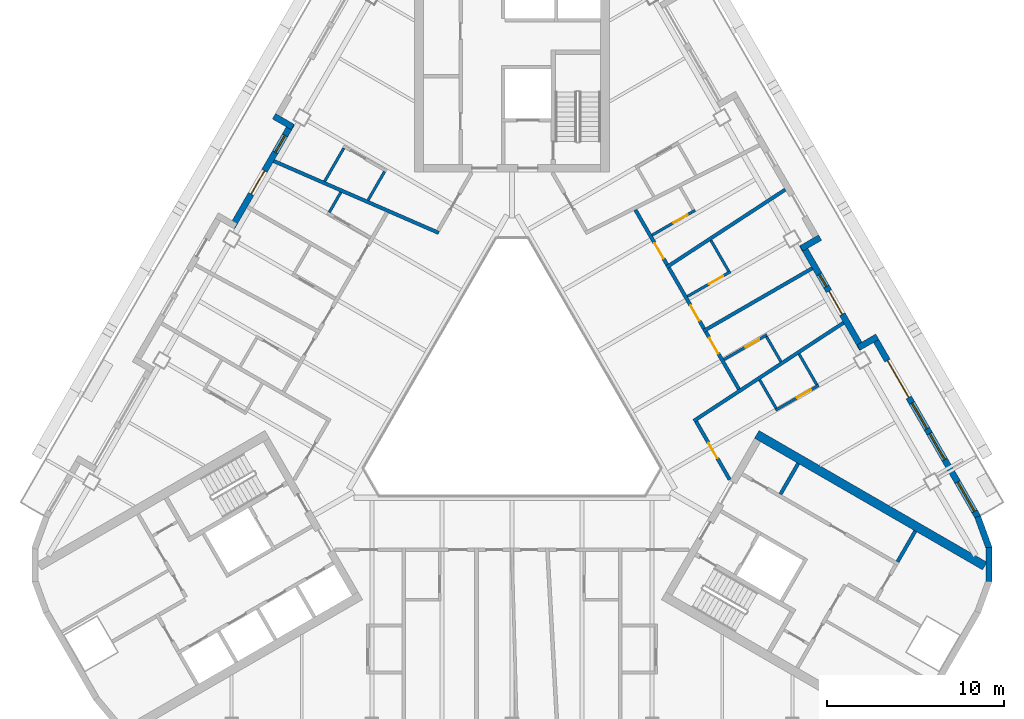
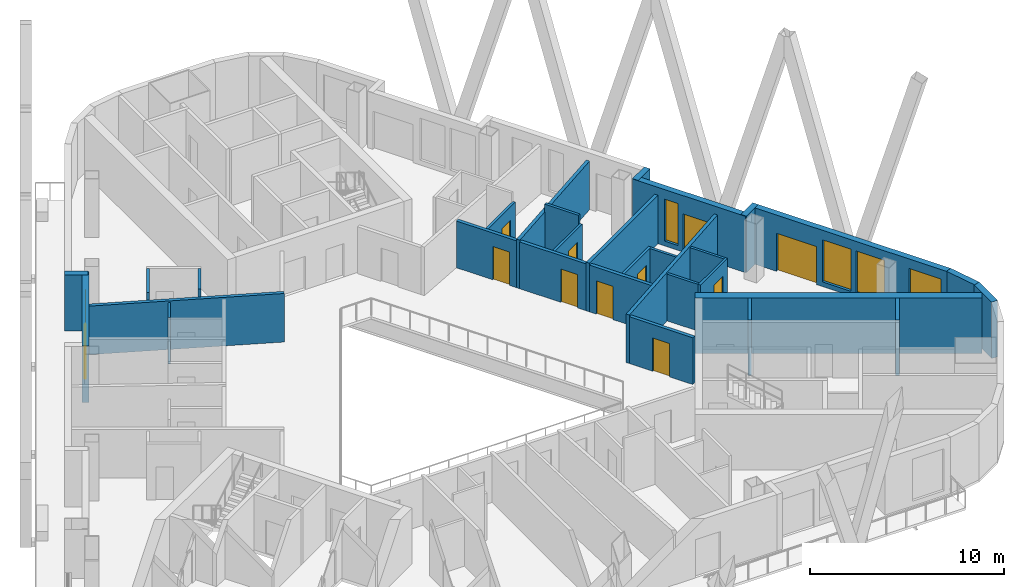
# One storey, part 6 of 14: 30 walls, 11 doors, 5 windows, 16 openings.
"""IFC4 building model written with IfcOpenShell, lengths in metres."""

import ifcopenshell
import ifcopenshell.guid

model = None  # the IFC model being written
_history = None  # IfcOwnerHistory: only IFC2X3 demands one
_inside = {}  # id of a spatial element -> (the spatial element, [elements in it])
_under = {}  # id of a project, library or spatial element -> (it, [spatial elements below it])
_declared = {}  # id of a project -> (the project, [libraries it declares])
_typed = {}  # id of a type object -> (the type object, [elements of that type])
_made_of = {}  # id of a material, layer set ... -> (it, [elements and type objects made of it])


def new_model(schema):
    """Start an empty IFC model of exactly this schema.

    Asked for "IFC4X3", IfcOpenShell would pick the latest addendum, in which some entities
    have other attributes; the version numbers below select the first issue.
    IFC2X3 requires an IfcOwnerHistory on every rooted entity: one is made here for all.
    """
    global model, _history
    if schema == "IFC4X3":
        model = ifcopenshell.file(schema_version=(4, 3, 0, 0))
    else:
        model = ifcopenshell.file(schema=schema)
    _inside.clear()
    _under.clear()
    _declared.clear()
    _typed.clear()
    _made_of.clear()
    _history = None
    if model.schema == "IFC2X3":
        org = make("IfcOrganization", Name="unknown")
        user = make(
            "IfcPersonAndOrganization",
            ThePerson=make("IfcPerson", FamilyName="unknown"),
            TheOrganization=org,
        )
        app = make(
            "IfcApplication",
            ApplicationDeveloper=org,
            Version="unknown",
            ApplicationFullName="unknown",
            ApplicationIdentifier="unknown",
        )
        _history = make(
            "IfcOwnerHistory",
            OwningUser=user,
            OwningApplication=app,
            ChangeAction="ADDED",
            CreationDate=0,
        )
    return model


def make(cls, **values):
    """One entity of the class cls with the attributes given. An attribute that is None is left unset."""
    return model.create_entity(
        cls, **{name: value for name, value in values.items() if value is not None}
    )


def rooted(cls, **values):
    """An entity with a GlobalId (a new one), such as an element, a storey or a relation."""
    return make(cls, GlobalId=ifcopenshell.guid.new(), OwnerHistory=_history, **values)


def si_unit(unit_type, name, prefix=None):
    """IfcSIUnit, for example si_unit("LENGTHUNIT", "METRE", prefix="MILLI")."""
    return make("IfcSIUnit", UnitType=unit_type, Prefix=prefix, Name=name)


def assignment(units):
    """IfcUnitAssignment: the units of a project."""
    return None if units is None else make("IfcUnitAssignment", Units=units)


def point(xyz):
    """IfcCartesianPoint."""
    return None if xyz is None else make("IfcCartesianPoint", Coordinates=xyz)


def direction(xyz):
    """IfcDirection."""
    return None if xyz is None else make("IfcDirection", DirectionRatios=xyz)


def frame(location, z_axis=None, x_axis=None):
    """IfcAxis2Placement3D, a coordinate frame: its origin and axes. An axis left out is left unset."""
    return make(
        "IfcAxis2Placement3D",
        Location=point(location),
        Axis=direction(z_axis),
        RefDirection=direction(x_axis),
    )


def frame_2d(location, x_axis=None):
    """IfcAxis2Placement2D, a coordinate frame in the plane: its origin and x axis."""
    return make(
        "IfcAxis2Placement2D", Location=point(location), RefDirection=direction(x_axis)
    )


def origin():
    """The frame at (0, 0, 0) with its axes left unset."""
    return frame((0.0, 0.0, 0.0))


def place(relative_to, where):
    """IfcLocalPlacement: puts the frame where relative to a parent placement (None: the world)."""
    return make(
        "IfcLocalPlacement", PlacementRelTo=relative_to, RelativePlacement=where
    )


def context(
    kind, dimensions, precision=None, world=None, true_north=None, identifier=None
):
    """IfcGeometricRepresentationContext, for example the 3D "Model" context."""
    return make(
        "IfcGeometricRepresentationContext",
        ContextIdentifier=identifier,
        ContextType=kind,
        CoordinateSpaceDimension=dimensions,
        Precision=precision,
        WorldCoordinateSystem=world,
        TrueNorth=true_north,
    )


def subcontext(parent, identifier, kind, view, scale=None):
    """IfcGeometricRepresentationSubContext, for example "Body" below "Model"."""
    return make(
        "IfcGeometricRepresentationSubContext",
        ContextIdentifier=identifier,
        ContextType=kind,
        ParentContext=parent,
        TargetScale=scale,
        TargetView=view,
    )


def project(units=None, contexts=None):
    """IfcProject with its units and contexts."""
    return rooted(
        "IfcProject",
        Name="project",
        RepresentationContexts=contexts,
        UnitsInContext=assignment(units),
    )


def spatial(cls, under=None, at=None, **own):
    """A site, building, storey or space (cls), placed at a placement, below another one or the project."""
    s = rooted(cls, ObjectPlacement=at, **own)
    if under is not None:
        _under.setdefault(under.id(), (under, []))[1].append(s)
    return s


def profile(cls, at=None, kind="AREA", **sizes):
    """A parametric profile (cls). Its sizes go by their IFC names, for example OverallWidth=200.0."""
    return make(cls, ProfileType=kind, Position=at, **sizes)


def rectangle(**sizes):
    """IfcRectangleProfileDef."""
    return profile("IfcRectangleProfileDef", **sizes)


def extrude(swept, where, along, depth):
    """IfcExtrudedAreaSolid: the profile swept, set in the frame where, extruded along a direction by depth."""
    return make(
        "IfcExtrudedAreaSolid",
        SweptArea=swept,
        Position=where,
        ExtrudedDirection=direction(along),
        Depth=depth,
    )


def shape(context_of_items, identifier, shape_type, items):
    """IfcShapeRepresentation: the items that make up one representation, for example the "Body"."""
    return make(
        "IfcShapeRepresentation",
        ContextOfItems=context_of_items,
        RepresentationIdentifier=identifier,
        RepresentationType=shape_type,
        Items=items,
    )


def material(Name=None, Category=None):
    """IfcMaterial."""
    return make("IfcMaterial", Name=Name, Category=Category)


def layer(
    of_material, thickness, ventilated=None, Name=None, Category=None, Priority=None
):
    """IfcMaterialLayer: one layer of a wall or slab, of a material (None: an air gap)."""
    return make(
        "IfcMaterialLayer",
        Material=of_material,
        LayerThickness=thickness,
        IsVentilated=ventilated,
        Name=Name,
        Category=Category,
        Priority=Priority,
    )


def layer_set(layers, Name=None):
    """IfcMaterialLayerSet."""
    return make("IfcMaterialLayerSet", MaterialLayers=layers, LayerSetName=Name)


def made_of(thing, what):
    """Note that an element or type object is made of a material, layer set ...; save() writes the relation."""
    if what is not None:
        _made_of.setdefault(what.id(), (what, []))[1].append(thing)
    return thing


def type_object(cls, material=None, **own):
    """A type object (cls), such as IfcWallType, which elements share."""
    return made_of(rooted(cls, **own), material)


def element(
    cls,
    number,
    at=None,
    inside=None,
    cuts=None,
    type_object=None,
    material=None,
    context=None,
    identifier="Body",
    shape_type=None,
    held_by="IfcProductDefinitionShape",
    body=None,
    shapes=None,
    **own,
):
    """One element of the class cls, such as IfcWall. Its Tag is "e" and its number.

    at: its placement. inside: the storey or other place that contains it. cuts: it is an
    opening in that element (IfcRelVoidsElement). A single representation is given by context,
    identifier, shape_type and body (its items); several are given by shapes. held_by: the class
    of the entity that holds the representations. save() writes the other relations.
    """
    e = rooted(cls, Tag="e%d" % number, ObjectPlacement=at, **own)
    if body is not None:
        shapes = [shape(context, identifier, shape_type, body)]
    if shapes is not None:
        e.Representation = make(held_by, Representations=shapes)
    if inside is not None:
        _inside.setdefault(inside.id(), (inside, []))[1].append(e)
    if cuts is not None:
        rooted(
            "IfcRelVoidsElement", RelatingBuildingElement=cuts, RelatedOpeningElement=e
        )
    if type_object is not None:
        _typed.setdefault(type_object.id(), (type_object, []))[1].append(e)
    return made_of(e, material)


def fill(opening, filler):
    """IfcRelFillsElement: the door or window that sits in an opening."""
    return rooted(
        "IfcRelFillsElement",
        RelatingOpeningElement=opening,
        RelatedBuildingElement=filler,
    )


def aggregate(whole, parts):
    """IfcRelAggregates: a whole, such as a stair, and the parts it consists of."""
    return rooted("IfcRelAggregates", RelatingObject=whole, RelatedObjects=parts)


def save(model, path):
    """Write the relations noted so far, then the file.

    IfcRelAggregates (storeys below a building ...), IfcRelContainedInSpatialStructure (elements
    in a storey), IfcRelDefinesByType, IfcRelAssociatesMaterial and IfcRelDeclares: one each for
    every whole, place, type object, material and project.
    """
    for whole, parts in _under.values():
        aggregate(whole, parts)
    for where, things in _inside.values():
        rooted(
            "IfcRelContainedInSpatialStructure",
            RelatedElements=things,
            RelatingStructure=where,
        )
    for kind, things in _typed.values():
        rooted("IfcRelDefinesByType", RelatedObjects=things, RelatingType=kind)
    for what, things in _made_of.values():
        rooted("IfcRelAssociatesMaterial", RelatedObjects=things, RelatingMaterial=what)
    for by, libraries in _declared.values():
        rooted("IfcRelDeclares", RelatingContext=by, RelatedDefinitions=libraries)
    model.write(path)


model = new_model("IFC4")

# Units and contexts
model_context = context("Model", 3, precision=1e-05, world=origin(), true_north=direction((0.0, 1.0)))
body_context = subcontext(model_context, "Body", "Model", "MODEL_VIEW")
ifc_project = project(units=[si_unit("LENGTHUNIT", "METRE"), si_unit("AREAUNIT", "SQUARE_METRE"), si_unit("VOLUMEUNIT", "CUBIC_METRE"), si_unit("PLANEANGLEUNIT", "RADIAN"), si_unit("MASSUNIT", "GRAM", prefix="KILO")], contexts=[model_context])

# Site, building, storey
site_placement = place(None, origin())
site = spatial("IfcSite", under=ifc_project, at=site_placement, CompositionType="ELEMENT")
building_placement = place(site_placement, origin())
building = spatial("IfcBuilding", under=site, at=building_placement, Name="Apuvela Tower Hotel", CompositionType="ELEMENT")
storey_placement = place(building_placement, frame((0.0, 0.0, 224.300048828125)))
storey = spatial("IfcBuildingStorey", under=building, at=storey_placement, Name="L55", CompositionType="ELEMENT", Elevation=224.300048828125)

# Walls
ifc_material_1 = material(Name="Concrete C50/60", Category="concrete")
ifc_layer_1 = layer(ifc_material_1, 0.5)
ifc_layer_set_1 = layer_set([ifc_layer_1], Name="COR-WALL-CORE-500")
wall_type_1 = type_object("IfcWallType", Name="COR-WALL-CORE-500", PredefinedType="SHEAR", material=ifc_layer_set_1)
wall_1_placement = place(storey_placement, frame((13.796630859375, -1.9033203125, 0.0), z_axis=(0.0, 0.0, 1.0), x_axis=(0.866025009528, -0.500000682871, 0.0)))
element("IfcWall", 1, at=wall_1_placement, inside=storey, type_object=wall_type_1, Name="Core wall SE", PredefinedType="SHEAR", context=body_context, shape_type="SweptSolid", body=[
    extrude(rectangle(XDim=14.8369140625, YDim=0.5, at=frame_2d((7.41845703125, 0.0))), origin(), (0.0, 0.0, 1.0), 3.5),
])
ifc_layer_2 = layer(ifc_material_1, 0.199951171875)
ifc_layer_set_2 = layer_set([ifc_layer_2], Name="COR-WALL-SHAFT-200")
wall_type_2 = type_object("IfcWallType", Name="COR-WALL-SHAFT-200", PredefinedType="SHEAR", material=ifc_layer_set_2)
for number, where, z_axis, x_axis, name in (
    (2, (15.131103515625, -5.27197265625, 0.0), (0.0, 0.0, 1.0), (0.499972520799, 0.866041268327, 0.0), "Shaft wall SE"),
    (3, (21.73046875, -9.081787109375, 0.0), (0.0, 0.0, 1.0), (0.50002537861, 0.866010750942, 0.0), "Shaft wall SE"),
):
    element("IfcWall", number, at=place(storey_placement, frame(where, z_axis=z_axis, x_axis=x_axis)), inside=storey, type_object=wall_type_2, Name=name, PredefinedType="SHEAR", context=body_context, shape_type="SweptSolid", body=[
        extrude(rectangle(XDim=2.0, YDim=0.199951171875, at=frame_2d((1.0, 0.0))), origin(), (0.0, 0.0, 1.0), 3.5),
    ])
ifc_material_2 = material(Name="Concrete C40/50, dark pigmented precast panel", Category="concrete")
ifc_layer_3 = layer(ifc_material_2, 0.35009765625)
ifc_layer_set_3 = layer_set([ifc_layer_3], Name="ENV-WALL-350")
wall_type_3 = type_object("IfcWallType", Name="ENV-WALL-350", PredefinedType="SOLIDWALL", material=ifc_layer_set_3)
wall_2_placement = place(storey_placement, frame((-13.41259765625, 16.02880859375, 0.0), z_axis=(0.0, 0.0, 1.0), x_axis=(0.866005645448, -0.500034220881, 0.0)))
element("IfcWall", 4, at=wall_2_placement, inside=storey, type_object=wall_type_3, Name="External wall L55-02", PredefinedType="SOLIDWALL", context=body_context, shape_type="SweptSolid", body=[
    extrude(rectangle(XDim=1.22021484375, YDim=0.35009765625, at=frame_2d((0.610107421875, 0.0))), origin(), (0.0, 0.0, 1.0), 3.550048828125),
])

# Wall, openings, door, window
wall_3_placement = place(storey_placement, frame((-12.408935546875, 15.616943359375, 0.0), z_axis=(0.0, 0.0, 1.0), x_axis=(-0.500003597184, -0.866023326939, 0.0)))
wall_3 = element("IfcWall", 5, at=wall_3_placement, inside=storey, type_object=wall_type_3, Name="External wall L55-03", PredefinedType="SOLIDWALL", context=body_context, shape_type="SweptSolid", body=[
    extrude(rectangle(XDim=6.740234375, YDim=0.35009765625, at=frame_2d((3.3701171875, 0.0))), origin(), (0.0, 0.0, 1.0), 3.550048828125),
])
opening_1_placement = place(wall_3_placement, frame((0.77001953125, 0.0, 0.300048828125)))
opening_1 = element("IfcOpeningElement", 6, at=opening_1_placement, cuts=wall_3, Name="Opening WN11", PredefinedType="OPENING", context=body_context, shape_type="SweptSolid", body=[
    extrude(rectangle(XDim=1.10009765625, YDim=2.64990234375, at=frame_2d((0.550048828125, 1.324951171875))), frame((0.0, 0.18505859375, 0.0), z_axis=(0.0, -1.0, 0.0), x_axis=(1.0, 0.0, 0.0)), (0.0, 0.0, 1.0), 0.3701171875),
])
opening_2_placement = place(wall_3_placement, frame((3.07861328125, 0.0, 0.0)))
opening_2 = element("IfcOpeningElement", 7, at=opening_2_placement, cuts=wall_3, Name="Opening BD15", PredefinedType="OPENING", context=body_context, shape_type="SweptSolid", body=[
    extrude(rectangle(XDim=1.5, YDim=2.39990234375, at=frame_2d((0.75, 1.199951171875))), frame((0.0, 0.18505859375, 0.0), z_axis=(0.0, -1.0, 0.0), x_axis=(1.0, 0.0, 0.0)), (0.0, 0.0, 1.0), 0.3701171875),
])
ifc_material_3 = material(Name="Aluminium 6063-T6, dark bronze anodised frame with dark tinted laminated glass", Category="aluminium")
door_type_1 = type_object("IfcDoorType", Name="ENV-DOOR-BALCONY-1500x2400", OperationType="SLIDING_TO_LEFT", PredefinedType="DOOR", material=ifc_material_3)
door_1_placement = place(opening_2_placement, frame((1.5, 0.0, 0.0), z_axis=(0.0, 0.0, 1.0), x_axis=(-1.0, 0.0, 0.0)))
door_1 = element("IfcDoor", 8, at=door_1_placement, inside=storey, type_object=door_type_1, Name="Balcony door BD15", OperationType="SLIDING_TO_LEFT", OverallHeight=2.39990234375, OverallWidth=1.5, PredefinedType="DOOR", context=body_context, shape_type="SweptSolid", body=[
    extrude(rectangle(XDim=1.5, YDim=2.39990234375, at=frame_2d((0.75, 1.199951171875))), frame((0.0, 0.02490234375, 0.0), z_axis=(0.0, -1.0, 0.0), x_axis=(1.0, 0.0, 0.0)), (0.0, 0.0, 1.0), 0.050048828125),
])
fill(opening_2, door_1)
ifc_material_4 = material(Name="Glass, dark tinted laminated insulated glazing unit", Category="glass")
window_type_1 = type_object("IfcWindowType", Name="ENV-WIN-1100x2650", PartitioningType="SINGLE_PANEL", PredefinedType="WINDOW", material=ifc_material_4)
window_1_placement = place(opening_1_placement, origin())
window_1 = element("IfcWindow", 9, at=window_1_placement, inside=storey, type_object=window_type_1, Name="Window WN11", OverallHeight=2.64990234375, OverallWidth=1.10009765625, PartitioningType="SINGLE_PANEL", PredefinedType="WINDOW", context=body_context, shape_type="SweptSolid", body=[
    extrude(rectangle(XDim=1.10009765625, YDim=2.64990234375, at=frame_2d((0.550048828125, 1.324951171875))), frame((0.0, 0.030029296875, 0.0), z_axis=(0.0, -1.0, 0.0), x_axis=(1.0, 0.0, 0.0)), (0.0, 0.0, 1.0), 0.06005859375),
])
fill(opening_1, window_1)

# Walls
for number, where, z_axis, x_axis, name in (
    (10, (26.88623046875, -10.18505859375, 0.0), (0.0, 0.0, 1.0), (0.0, 1.0, 0.0), "External wall L55-31"),
    (11, (26.89697265625, -8.334716796875, 0.0), (0.0, 0.0, 1.0), (-0.342030395486, 0.939688889242, 0.0), "External wall L55-32"),
):
    element("IfcWall", number, at=place(storey_placement, frame(where, z_axis=z_axis, x_axis=x_axis)), inside=storey, type_object=wall_type_3, Name=name, PredefinedType="SOLIDWALL", context=body_context, shape_type="SweptSolid", body=[
        extrude(rectangle(XDim=1.91015625, YDim=0.35009765625, at=frame_2d((0.955078125, 0.0))), origin(), (0.0, 0.0, 1.0), 3.550048828125),
    ])

# Wall, openings, door, windows
wall_4_placement = place(storey_placement, frame((26.256591796875, -6.5673828125, 0.0), z_axis=(0.0, 0.0, 1.0), x_axis=(-0.500023526245, 0.866011820475, 0.0)))
wall_4 = element("IfcWall", 12, at=wall_4_placement, inside=storey, type_object=wall_type_3, Name="External wall L55-33", PredefinedType="SOLIDWALL", context=body_context, shape_type="SweptSolid", body=[
    extrude(rectangle(XDim=11.81591796875, YDim=0.35009765625, at=frame_2d((5.907958984375, 0.0))), origin(), (0.0, 0.0, 1.0), 3.550048828125),
])
opening_3_placement = place(wall_4_placement, frame((0.380126953125, 0.0, 0.300048828125)))
opening_3 = element("IfcOpeningElement", 13, at=opening_3_placement, cuts=wall_4, Name="Opening WN19", PredefinedType="OPENING", context=body_context, shape_type="SweptSolid", body=[
    extrude(rectangle(XDim=1.89990234375, YDim=2.64990234375, at=frame_2d((0.949951171875, 1.324951171875))), frame((0.0, 0.18505859375, 0.0), z_axis=(0.0, -1.0, 0.0), x_axis=(1.0, 0.0, 0.0)), (0.0, 0.0, 1.0), 0.3701171875),
])
opening_4_placement = place(wall_4_placement, frame((7.791015625, 0.0, 0.0)))
opening_4 = element("IfcOpeningElement", 14, at=opening_4_placement, cuts=wall_4, Name="Opening BD24", PredefinedType="OPENING", context=body_context, shape_type="SweptSolid", body=[
    extrude(rectangle(XDim=2.39990234375, YDim=2.39990234375, at=frame_2d((1.199951171875, 1.199951171875))), frame((0.0, 0.18505859375, 0.0), z_axis=(0.0, -1.0, 0.0), x_axis=(1.0, 0.0, 0.0)), (0.0, 0.0, 1.0), 0.3701171875),
])
opening_5_placement = place(wall_4_placement, frame((3.74072265625, 0.0, 0.300048828125)))
opening_5 = element("IfcOpeningElement", 15, at=opening_5_placement, cuts=wall_4, Name="Opening WN17", PredefinedType="OPENING", context=body_context, shape_type="SweptSolid", body=[
    extrude(rectangle(XDim=1.699951171875, YDim=2.64990234375, at=frame_2d((0.85009765625, 1.324951171875))), frame((0.0, 0.18505859375, 0.0), z_axis=(0.0, -1.0, 0.0), x_axis=(1.0, 0.0, 0.0)), (0.0, 0.0, 1.0), 0.3701171875),
])
opening_6_placement = place(wall_4_placement, frame((5.74072265625, 0.0, 0.300048828125)))
opening_6 = element("IfcOpeningElement", 16, at=opening_6_placement, cuts=wall_4, Name="Opening WN17", PredefinedType="OPENING", context=body_context, shape_type="SweptSolid", body=[
    extrude(rectangle(XDim=1.699951171875, YDim=2.64990234375, at=frame_2d((0.85009765625, 1.324951171875))), frame((0.0, 0.18505859375, 0.0), z_axis=(0.0, -1.0, 0.0), x_axis=(1.0, 0.0, 0.0)), (0.0, 0.0, 1.0), 0.3701171875),
])
door_type_2 = type_object("IfcDoorType", Name="ENV-DOOR-BALCONY-2400x2400", OperationType="SLIDING_TO_LEFT", PredefinedType="DOOR", material=ifc_material_3)
door_2_placement = place(opening_4_placement, frame((2.39990234375, 0.0, 0.0), z_axis=(0.0, 0.0, 1.0), x_axis=(-1.0, 0.0, 0.0)))
door_2 = element("IfcDoor", 17, at=door_2_placement, inside=storey, type_object=door_type_2, Name="Balcony door BD24", OperationType="SLIDING_TO_LEFT", OverallHeight=2.39990234375, OverallWidth=2.39990234375, PredefinedType="DOOR", context=body_context, shape_type="SweptSolid", body=[
    extrude(rectangle(XDim=2.39990234375, YDim=2.39990234375, at=frame_2d((1.199951171875, 1.199951171875))), frame((0.0, 0.02490234375, 0.0), z_axis=(0.0, -1.0, 0.0), x_axis=(1.0, 0.0, 0.0)), (0.0, 0.0, 1.0), 0.050048828125),
])
fill(opening_4, door_2)
window_type_2 = type_object("IfcWindowType", Name="ENV-WIN-1700x2650", PartitioningType="SINGLE_PANEL", PredefinedType="WINDOW", material=ifc_material_4)
window_2_placement = place(opening_5_placement, origin())
window_2 = element("IfcWindow", 18, at=window_2_placement, inside=storey, type_object=window_type_2, Name="Window WN17", OverallHeight=2.64990234375, OverallWidth=1.699951171875, PartitioningType="SINGLE_PANEL", PredefinedType="WINDOW", context=body_context, shape_type="SweptSolid", body=[
    extrude(rectangle(XDim=1.699951171875, YDim=2.64990234375, at=frame_2d((0.85009765625, 1.324951171875))), frame((0.0, 0.030029296875, 0.0), z_axis=(0.0, -1.0, 0.0), x_axis=(1.0, 0.0, 0.0)), (0.0, 0.0, 1.0), 0.06005859375),
])
fill(opening_5, window_2)
window_3_placement = place(opening_6_placement, origin())
window_3 = element("IfcWindow", 19, at=window_3_placement, inside=storey, type_object=window_type_2, Name="Window WN17", OverallHeight=2.64990234375, OverallWidth=1.699951171875, PartitioningType="SINGLE_PANEL", PredefinedType="WINDOW", context=body_context, shape_type="SweptSolid", body=[
    extrude(rectangle(XDim=1.699951171875, YDim=2.64990234375, at=frame_2d((0.85009765625, 1.324951171875))), frame((0.0, 0.030029296875, 0.0), z_axis=(0.0, -1.0, 0.0), x_axis=(1.0, 0.0, 0.0)), (0.0, 0.0, 1.0), 0.06005859375),
])
fill(opening_6, window_3)
window_type_3 = type_object("IfcWindowType", Name="ENV-WIN-1900x2650", PartitioningType="SINGLE_PANEL", PredefinedType="WINDOW", material=ifc_material_4)
window_4_placement = place(opening_3_placement, origin())
window_4 = element("IfcWindow", 20, at=window_4_placement, inside=storey, type_object=window_type_3, Name="Window WN19", OverallHeight=2.64990234375, OverallWidth=1.89990234375, PartitioningType="SINGLE_PANEL", PredefinedType="WINDOW", context=body_context, shape_type="SweptSolid", body=[
    extrude(rectangle(XDim=1.89990234375, YDim=2.64990234375, at=frame_2d((0.949951171875, 1.324951171875))), frame((0.0, 0.030029296875, 0.0), z_axis=(0.0, -1.0, 0.0), x_axis=(1.0, 0.0, 0.0)), (0.0, 0.0, 1.0), 0.06005859375),
])
fill(opening_3, window_4)

# Wall
wall_5_placement = place(storey_placement, frame((20.587646484375, 3.601318359375, 0.0), z_axis=(0.0, 0.0, 1.0), x_axis=(-0.866005645448, -0.500034220881, 0.0)))
element("IfcWall", 21, at=wall_5_placement, inside=storey, type_object=wall_type_3, Name="External wall L55-34", PredefinedType="SOLIDWALL", context=body_context, shape_type="SweptSolid", body=[
    extrude(rectangle(XDim=1.22021484375, YDim=0.35009765625, at=frame_2d((0.610107421875, 0.0))), origin(), (0.0, 0.0, 1.0), 3.550048828125),
])

# Wall, openings, door, window
wall_6_placement = place(storey_placement, frame((19.72900390625, 2.93798828125, 0.0), z_axis=(0.0, 0.0, 1.0), x_axis=(-0.499976430342, 0.866039011305, 0.0)))
wall_6 = element("IfcWall", 22, at=wall_6_placement, inside=storey, type_object=wall_type_3, Name="External wall L55-35", PredefinedType="SOLIDWALL", context=body_context, shape_type="SweptSolid", body=[
    extrude(rectangle(XDim=6.739990234375, YDim=0.35009765625, at=frame_2d((3.3701171875, 0.0))), origin(), (0.0, 0.0, 1.0), 3.550048828125),
])
opening_7_placement = place(wall_6_placement, frame((2.228759765625, 0.0, 0.0)))
opening_7 = element("IfcOpeningElement", 23, at=opening_7_placement, cuts=wall_6, Name="Opening BD15", PredefinedType="OPENING", context=body_context, shape_type="SweptSolid", body=[
    extrude(rectangle(XDim=1.5, YDim=2.39990234375, at=frame_2d((0.75, 1.199951171875))), frame((0.0, 0.18505859375, 0.0), z_axis=(0.0, -1.0, 0.0), x_axis=(1.0, 0.0, 0.0)), (0.0, 0.0, 1.0), 0.3701171875),
])
opening_8_placement = place(wall_6_placement, frame((4.02880859375, 0.0, 0.300048828125)))
opening_8 = element("IfcOpeningElement", 24, at=opening_8_placement, cuts=wall_6, Name="Opening WN08", PredefinedType="OPENING", context=body_context, shape_type="SweptSolid", body=[
    extrude(rectangle(XDim=0.800048828125, YDim=2.64990234375, at=frame_2d((0.39990234375, 1.324951171875))), frame((0.0, 0.18505859375, 0.0), z_axis=(0.0, -1.0, 0.0), x_axis=(1.0, 0.0, 0.0)), (0.0, 0.0, 1.0), 0.3701171875),
])
door_3_placement = place(opening_7_placement, frame((1.5, 0.0, 0.0), z_axis=(0.0, 0.0, 1.0), x_axis=(-1.0, 0.0, 0.0)))
door_3 = element("IfcDoor", 25, at=door_3_placement, inside=storey, type_object=door_type_1, Name="Balcony door BD15", OperationType="SLIDING_TO_LEFT", OverallHeight=2.39990234375, OverallWidth=1.5, PredefinedType="DOOR", context=body_context, shape_type="SweptSolid", body=[
    extrude(rectangle(XDim=1.5, YDim=2.39990234375, at=frame_2d((0.75, 1.199951171875))), frame((0.0, 0.02490234375, 0.0), z_axis=(0.0, -1.0, 0.0), x_axis=(1.0, 0.0, 0.0)), (0.0, 0.0, 1.0), 0.050048828125),
])
fill(opening_7, door_3)
window_type_4 = type_object("IfcWindowType", Name="ENV-WIN-800x2650", PartitioningType="SINGLE_PANEL", PredefinedType="WINDOW", material=ifc_material_4)
window_5_placement = place(opening_8_placement, origin())
window_5 = element("IfcWindow", 26, at=window_5_placement, inside=storey, type_object=window_type_4, Name="Window WN08", OverallHeight=2.64990234375, OverallWidth=0.800048828125, PartitioningType="SINGLE_PANEL", PredefinedType="WINDOW", context=body_context, shape_type="SweptSolid", body=[
    extrude(rectangle(XDim=0.800048828125, YDim=2.64990234375, at=frame_2d((0.39990234375, 1.324951171875))), frame((0.0, 0.030029296875, 0.0), z_axis=(0.0, -1.0, 0.0), x_axis=(1.0, 0.0, 0.0)), (0.0, 0.0, 1.0), 0.06005859375),
])
fill(opening_8, window_5)

# Walls
wall_7_placement = place(storey_placement, frame((16.305908203125, 8.5771484375, 0.0), z_axis=(0.0, 0.0, 1.0), x_axis=(0.866092288191, 0.499884134912, 0.0)))
element("IfcWall", 27, at=wall_7_placement, inside=storey, type_object=wall_type_3, Name="External wall L55-36", PredefinedType="SOLIDWALL", context=body_context, shape_type="SweptSolid", body=[
    extrude(rectangle(XDim=1.219970703125, YDim=0.35009765625, at=frame_2d((0.60986328125, 0.0))), origin(), (0.0, 0.0, 1.0), 3.550048828125),
])
ifc_material_5 = material(Name="Gypsum board partition on twin steel stud", Category="steel")
ifc_layer_4 = layer(ifc_material_5, 0.199951171875)
ifc_layer_set_4 = layer_set([ifc_layer_4], Name="GST-PW1")
wall_type_4 = type_object("IfcWallType", Name="GST-PW1", PredefinedType="PARTITIONING", material=ifc_layer_set_4)
wall_8_placement = place(storey_placement, frame((18.68798828125, 4.391357421875, 0.0), z_axis=(0.0, 0.0, 1.0), x_axis=(-0.836395760685, -0.548126017909, 0.0)))
element("IfcWall", 28, at=wall_8_placement, inside=storey, type_object=wall_type_4, Name="L55 partition 05", PredefinedType="PARTITIONING", context=body_context, shape_type="SweptSolid", body=[
    extrude(rectangle(XDim=10.09619140625, YDim=0.199951171875, at=frame_2d((5.048095703125, 0.0))), origin(), (0.0, 0.0, 1.0), 3.06005859375),
])
wall_9_placement = place(storey_placement, frame((16.91748046875, 7.4580078125, 0.0), z_axis=(0.0, 0.0, 1.0), x_axis=(-0.866019052629, -0.500011000363, 0.0)))
element("IfcWall", 29, at=wall_9_placement, inside=storey, type_object=wall_type_4, Name="L55 partition 06", PredefinedType="PARTITIONING", context=body_context, shape_type="SweptSolid", body=[
    extrude(rectangle(XDim=7.079833984375, YDim=0.199951171875, at=frame_2d((3.5400390625, 0.0))), origin(), (0.0, 0.0, 1.0), 3.06005859375),
])
wall_10_placement = place(storey_placement, frame((15.39697265625, 11.8916015625, 0.0), z_axis=(0.0, 0.0, 1.0), x_axis=(-0.836905569615, -0.547347300667, 0.0)))
element("IfcWall", 30, at=wall_10_placement, inside=storey, type_object=wall_type_4, Name="L55 partition 07", PredefinedType="PARTITIONING", context=body_context, shape_type="SweptSolid", body=[
    extrude(rectangle(XDim=7.9921875, YDim=0.199951171875, at=frame_2d((3.99609375, 0.0))), origin(), (0.0, 0.0, 1.0), 3.06005859375),
])
wall_11_placement = place(storey_placement, frame((-13.426513671875, 13.50439453125, 0.0), z_axis=(0.0, 0.0, 1.0), x_axis=(0.916759471343, -0.399439697204, 0.0)))
element("IfcWall", 31, at=wall_11_placement, inside=storey, type_object=wall_type_4, Name="L55 partition 09", PredefinedType="PARTITIONING", context=body_context, shape_type="SweptSolid", body=[
    extrude(rectangle(XDim=10.144287109375, YDim=0.199951171875, at=frame_2d((5.072265625, 0.0))), origin(), (0.0, 0.0, 1.0), 3.06005859375),
])

# Wall, opening, door
ifc_material_6 = material(Name="Gypsum board corridor wall on twin steel stud, acoustic", Category="steel")
ifc_layer_5 = layer(ifc_material_6, 0.199951171875)
ifc_layer_set_5 = layer_set([ifc_layer_5], Name="GST-PW2")
wall_type_5 = type_object("IfcWallType", Name="GST-PW2", PredefinedType="PARTITIONING", material=ifc_layer_set_5)
wall_12_placement = place(storey_placement, frame((10.37744140625, -1.17431640625, 0.0), z_axis=(0.0, 0.0, 1.0), x_axis=(0.500033471514, -0.866006078134, 0.0)))
wall_12 = element("IfcWall", 32, at=wall_12_placement, inside=storey, type_object=wall_type_5, Name="L55 partition 30", PredefinedType="PARTITIONING", context=body_context, shape_type="SweptSolid", body=[
    extrude(rectangle(XDim=3.782470703125, YDim=0.199951171875, at=frame_2d((1.89111328125, 0.0))), origin(), (0.0, 0.0, 1.0), 2.949951171875),
])
opening_9_placement = place(wall_12_placement, frame((1.39111328125, 0.0, 0.0)))
opening_9 = element("IfcOpeningElement", 33, at=opening_9_placement, cuts=wall_12, Name="Opening GD22-12", PredefinedType="OPENING", context=body_context, shape_type="SweptSolid", body=[
    extrude(rectangle(XDim=1.0, YDim=2.10009765625, at=frame_2d((0.5, 1.050048828125))), frame((0.0, 0.10986328125, 0.0), z_axis=(0.0, -1.0, 0.0), x_axis=(1.0, 0.0, 0.0)), (0.0, 0.0, 1.0), 0.219970703125),
])
ifc_material_7 = material(Name="Timber door leaf in steel frame", Category="steel")
door_type_3 = type_object("IfcDoorType", Name="GST-D1", OperationType="NOTDEFINED", PredefinedType="DOOR", material=ifc_material_7)
door_4_placement = place(opening_9_placement, origin())
door_4 = element("IfcDoor", 34, at=door_4_placement, inside=storey, type_object=door_type_3, Name="Door L55-12", OperationType="SINGLE_SWING_LEFT", OverallHeight=2.10009765625, OverallWidth=1.0, PredefinedType="DOOR", context=body_context, shape_type="SweptSolid", body=[
    extrude(rectangle(XDim=1.0, YDim=2.10009765625, at=frame_2d((0.5, 1.050048828125))), frame((0.0, 0.02490234375, 0.0), z_axis=(0.0, -1.0, 0.0), x_axis=(1.0, 0.0, 0.0)), (0.0, 0.0, 1.0), 0.050048828125),
])
fill(opening_9, door_4)

wall_13_placement = place(storey_placement, frame((10.922607421875, 3.88134765625, 0.0), z_axis=(0.0, 0.0, 1.0), x_axis=(0.499997756806, -0.866026698889, 0.0)))
wall_13 = element("IfcWall", 35, at=wall_13_placement, inside=storey, type_object=wall_type_5, Name="L55 partition 34", PredefinedType="PARTITIONING", context=body_context, shape_type="SweptSolid", body=[
    extrude(rectangle(XDim=3.73583984375, YDim=0.199951171875, at=frame_2d((1.867919921875, 0.0))), origin(), (0.0, 0.0, 1.0), 2.949951171875),
])
opening_10_placement = place(wall_13_placement, frame((0.39990234375, 0.0, 0.0)))
opening_10 = element("IfcOpeningElement", 36, at=opening_10_placement, cuts=wall_13, Name="Opening GD22-14", PredefinedType="OPENING", context=body_context, shape_type="SweptSolid", body=[
    extrude(rectangle(XDim=1.0, YDim=2.10009765625, at=frame_2d((0.5, 1.050048828125))), frame((0.0, 0.10986328125, 0.0), z_axis=(0.0, -1.0, 0.0), x_axis=(1.0, 0.0, 0.0)), (0.0, 0.0, 1.0), 0.219970703125),
])
door_5_placement = place(opening_10_placement, origin())
door_5 = element("IfcDoor", 37, at=door_5_placement, inside=storey, type_object=door_type_3, Name="Door L55-14", OperationType="SINGLE_SWING_LEFT", OverallHeight=2.10009765625, OverallWidth=1.0, PredefinedType="DOOR", context=body_context, shape_type="SweptSolid", body=[
    extrude(rectangle(XDim=1.0, YDim=2.10009765625, at=frame_2d((0.5, 1.050048828125))), frame((0.0, 0.02490234375, 0.0), z_axis=(0.0, -1.0, 0.0), x_axis=(1.0, 0.0, 0.0)), (0.0, 0.0, 1.0), 0.050048828125),
])
fill(opening_10, door_5)

wall_14_placement = place(storey_placement, frame((8.842041015625, 7.485107421875, 0.0), z_axis=(0.0, 0.0, 1.0), x_axis=(0.500030109098, -0.866008019591, 0.0)))
wall_14 = element("IfcWall", 38, at=wall_14_placement, inside=storey, type_object=wall_type_5, Name="L55 partition 37", PredefinedType="PARTITIONING", context=body_context, shape_type="SweptSolid", body=[
    extrude(rectangle(XDim=3.961181640625, YDim=0.199951171875, at=frame_2d((1.98046875, 0.0))), origin(), (0.0, 0.0, 1.0), 2.949951171875),
])
opening_11_placement = place(wall_14_placement, frame((2.4443359375, 0.0, 0.0)))
opening_11 = element("IfcOpeningElement", 39, at=opening_11_placement, cuts=wall_14, Name="Opening GD22-16", PredefinedType="OPENING", context=body_context, shape_type="SweptSolid", body=[
    extrude(rectangle(XDim=1.0, YDim=2.10009765625, at=frame_2d((0.5, 1.050048828125))), frame((0.0, 0.10986328125, 0.0), z_axis=(0.0, -1.0, 0.0), x_axis=(1.0, 0.0, 0.0)), (0.0, 0.0, 1.0), 0.219970703125),
])
door_6_placement = place(opening_11_placement, origin())
door_6 = element("IfcDoor", 40, at=door_6_placement, inside=storey, type_object=door_type_3, Name="Door L55-16", OperationType="SINGLE_SWING_RIGHT", OverallHeight=2.10009765625, OverallWidth=1.0, PredefinedType="DOOR", context=body_context, shape_type="SweptSolid", body=[
    extrude(rectangle(XDim=1.0, YDim=2.10009765625, at=frame_2d((0.5, 1.050048828125))), frame((0.0, 0.02490234375, 0.0), z_axis=(0.0, -1.0, 0.0), x_axis=(1.0, 0.0, 0.0)), (0.0, 0.0, 1.0), 0.050048828125),
])
fill(opening_11, door_6)

wall_15_placement = place(storey_placement, frame((6.954833984375, 10.75390625, 0.0), z_axis=(0.0, 0.0, 1.0), x_axis=(0.500018099276, -0.86601495391, 0.0)))
wall_15 = element("IfcWall", 41, at=wall_15_placement, inside=storey, type_object=wall_type_5, Name="L55 partition 40", PredefinedType="PARTITIONING", context=body_context, shape_type="SweptSolid", body=[
    extrude(rectangle(XDim=3.573974609375, YDim=0.199951171875, at=frame_2d((1.787109375, 0.0))), origin(), (0.0, 0.0, 1.0), 2.949951171875),
])
opening_12_placement = place(wall_15_placement, frame((2.17431640625, 0.0, 0.0)))
opening_12 = element("IfcOpeningElement", 42, at=opening_12_placement, cuts=wall_15, Name="Opening GD22-18", PredefinedType="OPENING", context=body_context, shape_type="SweptSolid", body=[
    extrude(rectangle(XDim=1.0, YDim=2.10009765625, at=frame_2d((0.5, 1.050048828125))), frame((0.0, 0.10986328125, 0.0), z_axis=(0.0, -1.0, 0.0), x_axis=(1.0, 0.0, 0.0)), (0.0, 0.0, 1.0), 0.219970703125),
])
door_7_placement = place(opening_12_placement, origin())
door_7 = element("IfcDoor", 43, at=door_7_placement, inside=storey, type_object=door_type_3, Name="Door L55-18", OperationType="SINGLE_SWING_RIGHT", OverallHeight=2.10009765625, OverallWidth=1.0, PredefinedType="DOOR", context=body_context, shape_type="SweptSolid", body=[
    extrude(rectangle(XDim=1.0, YDim=2.10009765625, at=frame_2d((0.5, 1.050048828125))), frame((0.0, 0.02490234375, 0.0), z_axis=(0.0, -1.0, 0.0), x_axis=(1.0, 0.0, 0.0)), (0.0, 0.0, 1.0), 0.050048828125),
])
fill(opening_12, door_7)

ifc_material_8 = material(Name="Moisture-resistant gypsum board wet wall on steel stud", Category="steel")
ifc_layer_6 = layer(ifc_material_8, 0.14990234375)
ifc_layer_set_6 = layer_set([ifc_layer_6], Name="GST-PW3")
wall_type_6 = type_object("IfcWallType", Name="GST-PW3", PredefinedType="PARTITIONING", material=ifc_layer_set_6)
wall_16_placement = place(storey_placement, frame((14.8583984375, -0.53564453125, 0.0), z_axis=(0.0, 0.0, 1.0), x_axis=(0.866056369097, 0.49994636267, 0.0)))
wall_16 = element("IfcWall", 44, at=wall_16_placement, inside=storey, type_object=wall_type_6, Name="L55 partition 31", PredefinedType="PARTITIONING", context=body_context, shape_type="SweptSolid", body=[
    extrude(rectangle(XDim=2.800048828125, YDim=0.14990234375, at=frame_2d((1.39990234375, 0.0))), origin(), (0.0, 0.0, 1.0), 2.949951171875),
])
opening_13_placement = place(wall_16_placement, frame((1.39990234375, 0.0, 0.0)))
opening_13 = element("IfcOpeningElement", 45, at=opening_13_placement, cuts=wall_16, Name="Opening GD22-11", PredefinedType="OPENING", context=body_context, shape_type="SweptSolid", body=[
    extrude(rectangle(XDim=0.89990234375, YDim=2.10009765625, at=frame_2d((0.449951171875, 1.050048828125))), frame((0.0, 0.0849609375, 0.0), z_axis=(0.0, -1.0, 0.0), x_axis=(1.0, 0.0, 0.0)), (0.0, 0.0, 1.0), 0.169921875),
])
door_type_4 = type_object("IfcDoorType", Name="GST-D2", OperationType="NOTDEFINED", PredefinedType="DOOR", material=ifc_material_7)
door_8_placement = place(opening_13_placement, origin())
door_8 = element("IfcDoor", 46, at=door_8_placement, inside=storey, type_object=door_type_4, Name="Door L55-11", OperationType="SINGLE_SWING_RIGHT", OverallHeight=2.10009765625, OverallWidth=0.89990234375, PredefinedType="DOOR", context=body_context, shape_type="SweptSolid", body=[
    extrude(rectangle(XDim=0.89990234375, YDim=2.10009765625, at=frame_2d((0.449951171875, 1.050048828125))), frame((0.0, 0.02490234375, 0.0), z_axis=(0.0, -1.0, 0.0), x_axis=(1.0, 0.0, 0.0)), (0.0, 0.0, 1.0), 0.050048828125),
])
fill(opening_13, door_8)

# Walls
wall_17_placement = place(storey_placement, frame((17.180908203125, 0.891845703125, 0.0), z_axis=(0.0, 0.0, 1.0), x_axis=(-0.500056363668, 0.86599285976, 0.0)))
element("IfcWall", 47, at=wall_17_placement, inside=storey, type_object=wall_type_6, Name="L55 partition 32", PredefinedType="PARTITIONING", context=body_context, shape_type="SweptSolid", body=[
    extrude(rectangle(XDim=2.004150390625, YDim=0.14990234375, at=frame_2d((1.001953125, 0.0))), origin(), (0.0, 0.0, 1.0), 2.949951171875),
])
wall_18_placement = place(storey_placement, frame((14.885986328125, -0.43310546875, 0.0), z_axis=(0.0, 0.0, 1.0), x_axis=(-0.500075767815, 0.865981654797, 0.0)))
element("IfcWall", 48, at=wall_18_placement, inside=storey, type_object=wall_type_6, Name="L55 partition 33", PredefinedType="PARTITIONING", context=body_context, shape_type="SweptSolid", body=[
    extrude(rectangle(XDim=1.854248046875, YDim=0.14990234375, at=frame_2d((0.92724609375, 0.0))), origin(), (0.0, 0.0, 1.0), 2.949951171875),
])

# Wall, opening, door
wall_19_placement = place(storey_placement, frame((14.368896484375, 3.71240234375, 0.0), z_axis=(0.0, 0.0, 1.0), x_axis=(-0.866034573852, -0.49998411664, 0.0)))
wall_19 = element("IfcWall", 49, at=wall_19_placement, inside=storey, type_object=wall_type_6, Name="L55 partition 35", PredefinedType="PARTITIONING", context=body_context, shape_type="SweptSolid", body=[
    extrude(rectangle(XDim=2.7998046875, YDim=0.14990234375, at=frame_2d((1.39990234375, 0.0))), origin(), (0.0, 0.0, 1.0), 2.949951171875),
])
opening_14_placement = place(wall_19_placement, frame((0.5, 0.0, 0.0)))
opening_14 = element("IfcOpeningElement", 50, at=opening_14_placement, cuts=wall_19, Name="Opening GD22-13", PredefinedType="OPENING", context=body_context, shape_type="SweptSolid", body=[
    extrude(rectangle(XDim=0.89990234375, YDim=2.10009765625, at=frame_2d((0.449951171875, 1.050048828125))), frame((0.0, 0.0849609375, 0.0), z_axis=(0.0, -1.0, 0.0), x_axis=(1.0, 0.0, 0.0)), (0.0, 0.0, 1.0), 0.169921875),
])
door_9_placement = place(opening_14_placement, origin())
door_9 = element("IfcDoor", 51, at=door_9_placement, inside=storey, type_object=door_type_4, Name="Door L55-13", OperationType="SINGLE_SWING_LEFT", OverallHeight=2.10009765625, OverallWidth=0.89990234375, PredefinedType="DOOR", context=body_context, shape_type="SweptSolid", body=[
    extrude(rectangle(XDim=0.89990234375, YDim=2.10009765625, at=frame_2d((0.449951171875, 1.050048828125))), frame((0.0, 0.02490234375, 0.0), z_axis=(0.0, -1.0, 0.0), x_axis=(1.0, 0.0, 0.0)), (0.0, 0.0, 1.0), 0.050048828125),
])
fill(opening_14, door_9)

# Wall
wall_20_placement = place(storey_placement, frame((15.1572265625, 2.197021484375, 0.0), z_axis=(0.0, 0.0, 1.0), x_axis=(-0.500033287521, 0.866006184372, 0.0)))
element("IfcWall", 52, at=wall_20_placement, inside=storey, type_object=wall_type_6, Name="L55 partition 36", PredefinedType="PARTITIONING", context=body_context, shape_type="SweptSolid", body=[
    extrude(rectangle(XDim=1.6318359375, YDim=0.14990234375, at=frame_2d((0.81591796875, 0.0))), origin(), (0.0, 0.0, 1.0), 2.949951171875),
])

# Wall, opening, door
wall_21_placement = place(storey_placement, frame((9.888427734375, 5.872802734375, 0.0), z_axis=(0.0, 0.0, 1.0), x_axis=(0.866034573852, 0.49998411664, 0.0)))
wall_21 = element("IfcWall", 53, at=wall_21_placement, inside=storey, type_object=wall_type_6, Name="L55 partition 38", PredefinedType="PARTITIONING", context=body_context, shape_type="SweptSolid", body=[
    extrude(rectangle(XDim=2.7998046875, YDim=0.14990234375, at=frame_2d((1.39990234375, 0.0))), origin(), (0.0, 0.0, 1.0), 2.949951171875),
])
opening_15_placement = place(wall_21_placement, frame((1.39990234375, 0.0, 0.0)))
opening_15 = element("IfcOpeningElement", 54, at=opening_15_placement, cuts=wall_21, Name="Opening GD22-15", PredefinedType="OPENING", context=body_context, shape_type="SweptSolid", body=[
    extrude(rectangle(XDim=0.89990234375, YDim=2.10009765625, at=frame_2d((0.449951171875, 1.050048828125))), frame((0.0, 0.0849609375, 0.0), z_axis=(0.0, -1.0, 0.0), x_axis=(1.0, 0.0, 0.0)), (0.0, 0.0, 1.0), 0.169921875),
])
door_10_placement = place(opening_15_placement, origin())
door_10 = element("IfcDoor", 55, at=door_10_placement, inside=storey, type_object=door_type_4, Name="Door L55-15", OperationType="SINGLE_SWING_RIGHT", OverallHeight=2.10009765625, OverallWidth=0.89990234375, PredefinedType="DOOR", context=body_context, shape_type="SweptSolid", body=[
    extrude(rectangle(XDim=0.89990234375, YDim=2.10009765625, at=frame_2d((0.449951171875, 1.050048828125))), frame((0.0, 0.02490234375, 0.0), z_axis=(0.0, -1.0, 0.0), x_axis=(1.0, 0.0, 0.0)), (0.0, 0.0, 1.0), 0.050048828125),
])
fill(opening_15, door_10)

# Wall
wall_22_placement = place(storey_placement, frame((12.210693359375, 7.30029296875, 0.0), z_axis=(0.0, 0.0, 1.0), x_axis=(-0.499982900776, 0.866035275801, 0.0)))
element("IfcWall", 56, at=wall_22_placement, inside=storey, type_object=wall_type_6, Name="L55 partition 39", PredefinedType="PARTITIONING", context=body_context, shape_type="SweptSolid", body=[
    extrude(rectangle(XDim=2.00146484375, YDim=0.14990234375, at=frame_2d((1.000732421875, 0.0))), origin(), (0.0, 0.0, 1.0), 3.550048828125),
])

# Wall, opening, door
wall_23_placement = place(storey_placement, frame((7.893798828125, 9.327392578125, 0.0), z_axis=(0.0, 0.0, 1.0), x_axis=(0.865996816683, 0.500049511043, 0.0)))
wall_23 = element("IfcWall", 57, at=wall_23_placement, inside=storey, type_object=wall_type_6, Name="L55 partition 41", PredefinedType="PARTITIONING", context=body_context, shape_type="SweptSolid", body=[
    extrude(rectangle(XDim=2.800048828125, YDim=0.14990234375, at=frame_2d((1.39990234375, 0.0))), origin(), (0.0, 0.0, 1.0), 2.949951171875),
])
opening_16_placement = place(wall_23_placement, frame((1.39990234375, 0.0, 0.0)))
opening_16 = element("IfcOpeningElement", 58, at=opening_16_placement, cuts=wall_23, Name="Opening GD22-17", PredefinedType="OPENING", context=body_context, shape_type="SweptSolid", body=[
    extrude(rectangle(XDim=0.89990234375, YDim=2.10009765625, at=frame_2d((0.449951171875, 1.050048828125))), frame((0.0, 0.0849609375, 0.0), z_axis=(0.0, -1.0, 0.0), x_axis=(1.0, 0.0, 0.0)), (0.0, 0.0, 1.0), 0.169921875),
])
door_11_placement = place(opening_16_placement, origin())
door_11 = element("IfcDoor", 59, at=door_11_placement, inside=storey, type_object=door_type_4, Name="Door L55-17", OperationType="SINGLE_SWING_RIGHT", OverallHeight=2.10009765625, OverallWidth=0.89990234375, PredefinedType="DOOR", context=body_context, shape_type="SweptSolid", body=[
    extrude(rectangle(XDim=0.89990234375, YDim=2.10009765625, at=frame_2d((0.449951171875, 1.050048828125))), frame((0.0, 0.02490234375, 0.0), z_axis=(0.0, -1.0, 0.0), x_axis=(1.0, 0.0, 0.0)), (0.0, 0.0, 1.0), 0.050048828125),
])
fill(opening_16, door_11)

# Walls
wall_24_placement = place(storey_placement, frame((-9.478515625, 14.232666015625, 0.0), z_axis=(0.0, 0.0, 1.0), x_axis=(-0.499983569942, -0.866034889475, 0.0)))
element("IfcWall", 60, at=wall_24_placement, inside=storey, type_object=wall_type_6, Name="L55 partition 49", PredefinedType="PARTITIONING", context=body_context, shape_type="SweptSolid", body=[
    extrude(rectangle(XDim=2.158203125, YDim=0.14990234375, at=frame_2d((1.0791015625, 0.0))), origin(), (0.0, 0.0, 1.0), 3.550048828125),
])
wall_25_placement = place(storey_placement, frame((-7.18359375, 12.90771484375, 0.0), z_axis=(0.0, 0.0, 1.0), x_axis=(-0.49995366312, -0.866052154742, 0.0)))
element("IfcWall", 61, at=wall_25_placement, inside=storey, type_object=wall_type_6, Name="L55 partition 50", PredefinedType="PARTITIONING", context=body_context, shape_type="SweptSolid", body=[
    extrude(rectangle(XDim=1.858642578125, YDim=0.14990234375, at=frame_2d((0.92919921875, 0.0))), origin(), (0.0, 0.0, 1.0), 3.550048828125),
])
wall_26_placement = place(storey_placement, frame((-9.6435546875, 11.7470703125, 0.0), z_axis=(0.0, 0.0, 1.0), x_axis=(-0.499899541988, -0.866083395476, 0.0)))
element("IfcWall", 62, at=wall_26_placement, inside=storey, type_object=wall_type_6, Name="L55 partition 53", PredefinedType="PARTITIONING", context=body_context, shape_type="SweptSolid", body=[
    extrude(rectangle(XDim=1.312744140625, YDim=0.14990234375, at=frame_2d((0.65625, 0.0))), origin(), (0.0, 0.0, 1.0), 2.949951171875),
])

save(model, "model.ifc")
